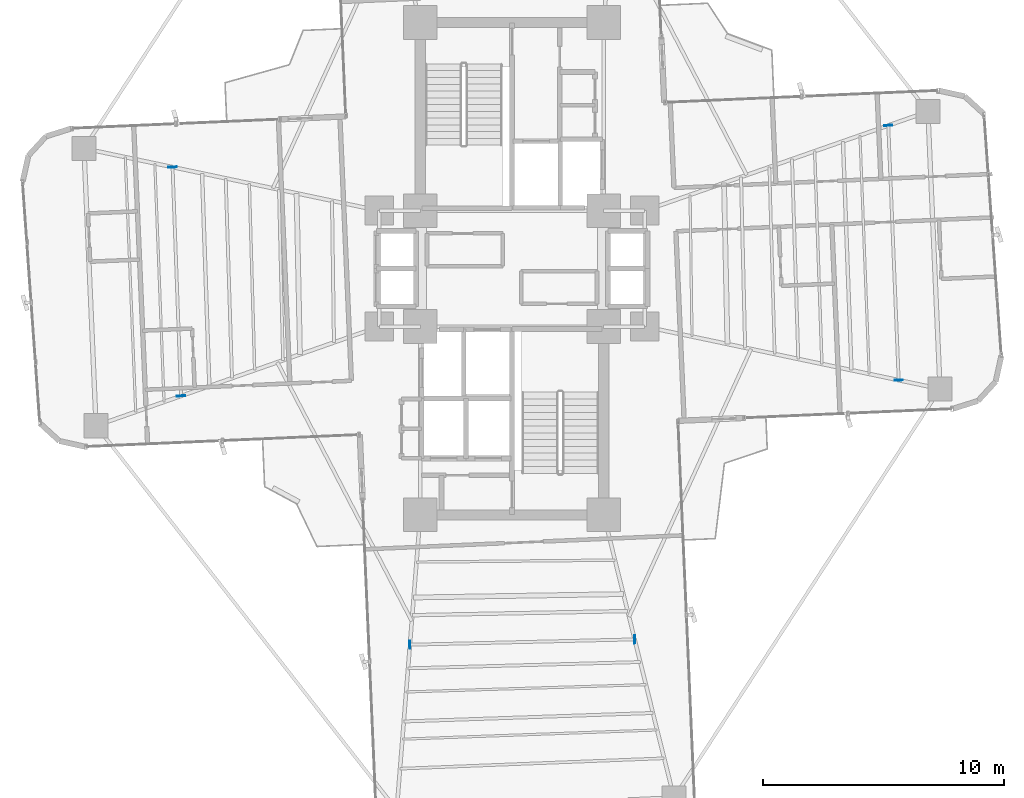
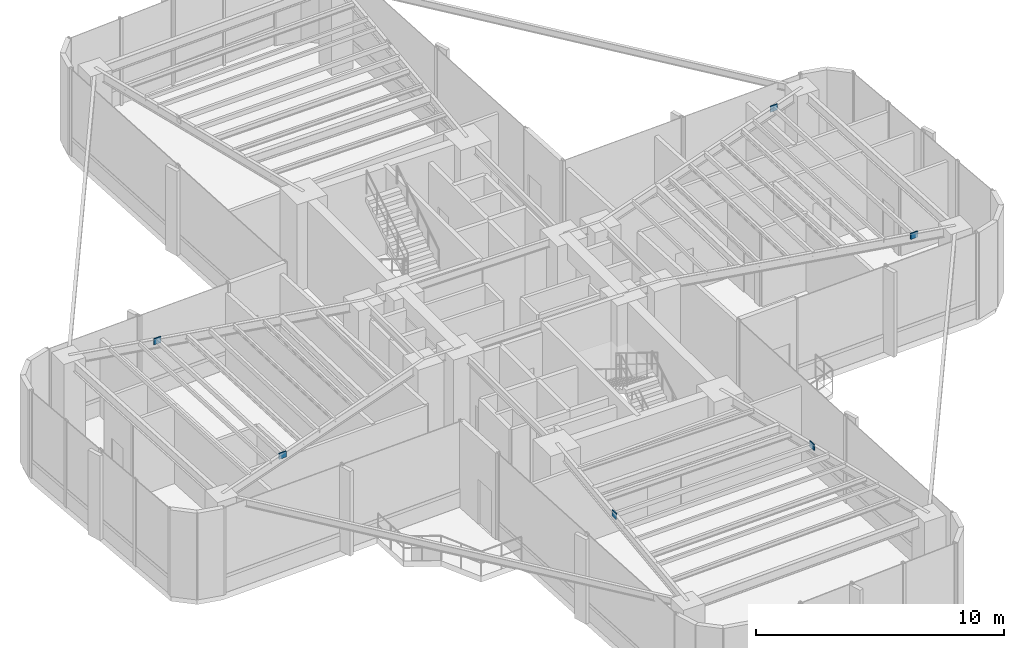
# One storey, part 17 of 23: 6 plates.
"""IFC4 building model written with IfcOpenShell, lengths in metres."""

from ifc_helpers import new_model, si_unit, direction, frame, origin, origin_2d, place, context, subcontext, project, spatial, rectangle, extrude, source, transform, mapped, material, type_object, element, save


model = new_model("IFC4")

# Units and contexts
model_context = context("Model", 3, precision=1e-05, world=origin(), true_north=direction((0.0, 1.0)))
body_context = subcontext(model_context, "Body", "Model", "MODEL_VIEW")
ifc_project = project(units=[si_unit("LENGTHUNIT", "METRE"), si_unit("AREAUNIT", "SQUARE_METRE"), si_unit("VOLUMEUNIT", "CUBIC_METRE"), si_unit("PLANEANGLEUNIT", "RADIAN"), si_unit("MASSUNIT", "GRAM", prefix="KILO")], contexts=[model_context])

# Site, building, storey
site_placement = place(None, origin())
site = spatial("IfcSite", under=ifc_project, at=site_placement, CompositionType="ELEMENT")
building_placement = place(site_placement, origin())
building = spatial("IfcBuilding", under=site, at=building_placement, Name="Sahyath Konkavel Grand Hotel", CompositionType="ELEMENT")
storey_placement = place(building_placement, frame((0.0, 0.0, 106.949951171875)))
storey = spatial("IfcBuildingStorey", under=building, at=storey_placement, Name="L29", CompositionType="ELEMENT", Elevation=106.949951171875)

# Plates
ifc_material = material(Name="Steel E450", Category="steel")
plate_type = type_object("IfcPlateType", Name="GUSSET-END-35", PredefinedType="USERDEFINED", material=ifc_material)
shared_shape = source(origin(), body_context, "Body", "SweptSolid", [
    extrude(rectangle(XDim=0.0400390625, YDim=0.340087890625, at=origin_2d()), origin(), (0.0, 0.0, 1.0), 0.300048828125),
])
for number, where, z_axis, x_axis, name in (
    (1, (16.021484375, -4.619873046875, 4.0), (0.0, 0.0, 1.0), (-0.040864229431, 0.999164708521, 0.0), "L29 Sub-Beam E-6 End Cap A"),
    (2, (15.58984375, 5.932861328125, 4.0), (0.0, 0.0, 1.0), (-0.040864229431, 0.999164708521, 0.0), "L29 Sub-Beam E-6 End Cap B"),
    (3, (-14.06396484375, 4.206787109375, 4.0), (0.0, 0.0, 1.0), (0.037009979223, -0.999314896035, 0.0), "L29 Sub-Beam W-5 End Cap A"),
    (4, (-13.712890625, -5.275390625, 4.0), (0.0, 0.0, 1.0), (0.037009979223, -0.999314896035, 0.0), "L29 Sub-Beam W-5 End Cap B"),
    (5, (-4.2294921875, -15.5810546875, 4.0), (0.0, 0.0, 1.0), (0.999719130909, 0.023699352188, 0.0), "L29 Sub-Beam S-3 End Cap A"),
    (6, (5.081787109375, -15.3603515625, 4.0), (0.0, 0.0, 1.0), (0.999719130909, 0.023699352188, 0.0), "L29 Sub-Beam S-3 End Cap B"),
):
    element("IfcPlate", number, at=place(storey_placement, frame(where, z_axis=z_axis, x_axis=x_axis)), inside=storey, type_object=plate_type, Name=name, ObjectType="GUSSET_PLATE", PredefinedType="USERDEFINED", context=body_context, shape_type="MappedRepresentation", body=[
        mapped(shared_shape, transform((0.0, 0.0, 0.0), scale=1.0)),
    ])

save(model, "model.ifc")
